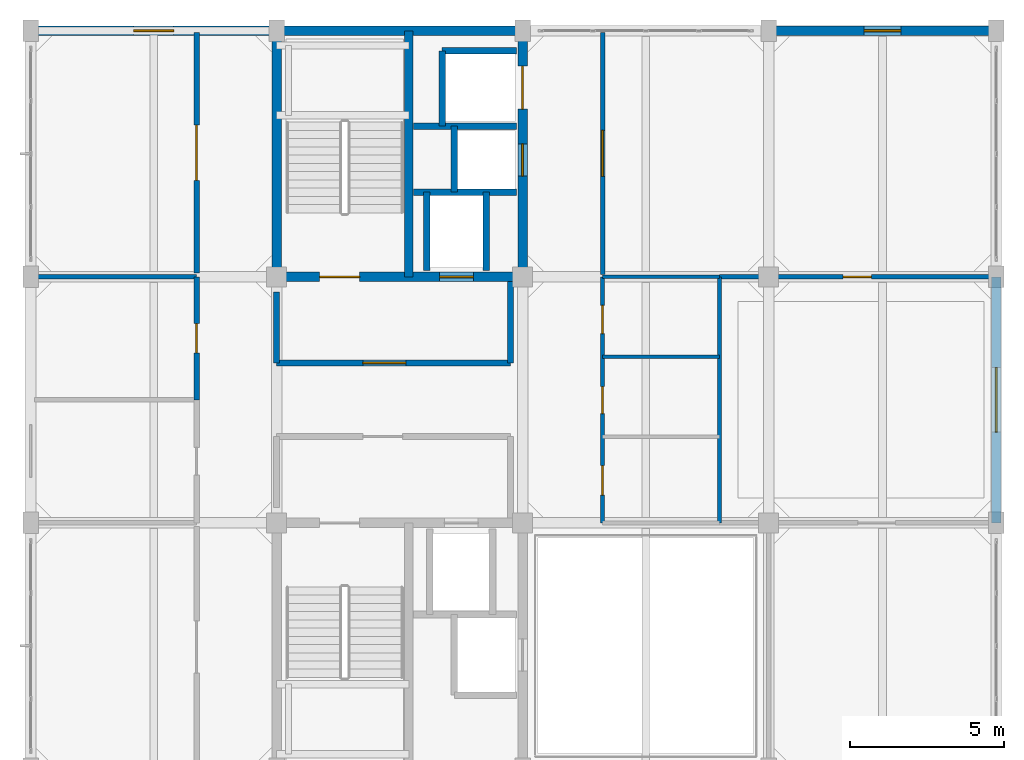
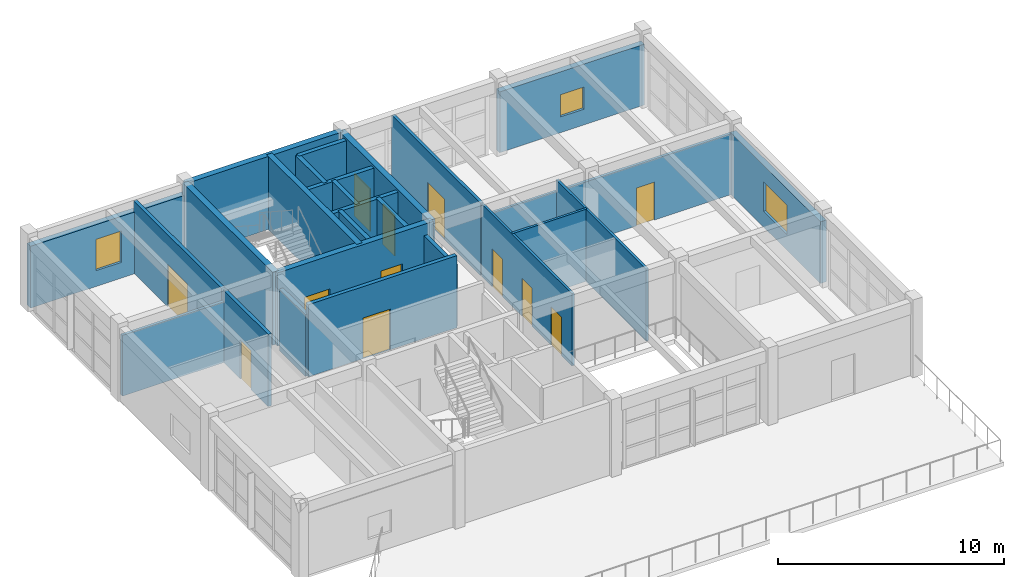
# One storey, part 17 of 20: 27 walls, 12 doors, 3 windows, 15 openings.
"""IFC4 building model written with IfcOpenShell, lengths in metres."""

from ifc_helpers import new_model, si_unit, direction, frame, frame_2d, origin, place, context, subcontext, project, spatial, rectangle, extrude, material, layer, layer_set, type_object, element, fill, save


model = new_model("IFC4")

# Units and contexts
model_context = context("Model", 3, precision=1e-05, world=origin(), true_north=direction((0.0, 1.0)))
body_context = subcontext(model_context, "Body", "Model", "MODEL_VIEW")
ifc_project = project(units=[si_unit("LENGTHUNIT", "METRE"), si_unit("AREAUNIT", "SQUARE_METRE"), si_unit("VOLUMEUNIT", "CUBIC_METRE"), si_unit("PLANEANGLEUNIT", "RADIAN"), si_unit("MASSUNIT", "GRAM", prefix="KILO")], contexts=[model_context])

# Site, building, storey
site_placement = place(None, origin())
site = spatial("IfcSite", under=ifc_project, at=site_placement, CompositionType="ELEMENT")
building_placement = place(site_placement, origin())
building = spatial("IfcBuilding", under=site, at=building_placement, Name="Canggui Botanical Conservatory", CompositionType="ELEMENT")
storey_placement = place(building_placement, frame((0.0, 0.0, 57.0)))
storey = spatial("IfcBuildingStorey", under=building, at=storey_placement, Name="L14", CompositionType="ELEMENT", Elevation=57.0)

# Wall, opening, window
ifc_material_1 = material(Name="Precast Concrete C40", Category="concrete")
ifc_layer_1 = layer(ifc_material_1, 0.300048828125, Name="Precast Concrete C40", Category="concrete")
ifc_layer_set_1 = layer_set([ifc_layer_1], Name="Precast Concrete C40")
wall_type_1 = type_object("IfcWallType", Name="EW-300", PredefinedType="STANDARD", material=ifc_layer_set_1)
wall_1_placement = place(storey_placement, frame((146.0, 66.0, 0.0), z_axis=(0.0, 0.0, 1.0), x_axis=(1.0, 0.0, 0.0)))
wall_1 = element("IfcWall", 1, at=wall_1_placement, inside=storey, type_object=wall_type_1, Name="Tower Insulated Exterior Wall L14-N7", PredefinedType="STANDARD", context=body_context, shape_type="SweptSolid", body=[
    extrude(rectangle(XDim=8.0, YDim=0.300048828125, at=frame_2d((4.0, 0.0))), origin(), (0.0, 0.0, 1.0), 3.340087890625),
])
opening_1_placement = place(wall_1_placement, frame((3.35009765625, 0.0, 0.85009765625)))
opening_1 = element("IfcOpeningElement", 2, at=opening_1_placement, cuts=wall_1, Name="Opening W-24", PredefinedType="OPENING", context=body_context, shape_type="SweptSolid", body=[
    extrude(rectangle(XDim=1.300048828125, YDim=1.699951171875, at=frame_2d((0.64990234375, 0.85009765625))), frame((0.0, 0.16015625, 0.0), z_axis=(0.0, -1.0, 0.0), x_axis=(1.0, 0.0, 0.0)), (0.0, 0.0, 1.0), 0.320068359375),
])
ifc_material_2 = material(Name="Low-E Insulated Glass", Category="glass")
window_type_1 = type_object("IfcWindowType", Name="WIN-24", PartitioningType="SINGLE_PANEL", PredefinedType="WINDOW", material=ifc_material_2)
window_1_placement = place(opening_1_placement, origin())
window_1 = element("IfcWindow", 3, at=window_1_placement, inside=storey, type_object=window_type_1, Name="Tower Window L14-7", OverallHeight=1.699951171875, OverallWidth=1.300048828125, PartitioningType="SINGLE_PANEL", PredefinedType="WINDOW", context=body_context, shape_type="SweptSolid", body=[
    extrude(rectangle(XDim=1.300048828125, YDim=1.699951171875, at=frame_2d((0.64990234375, 0.85009765625))), frame((0.0, 0.030029296875, 0.0), z_axis=(0.0, -1.0, 0.0), x_axis=(1.0, 0.0, 0.0)), (0.0, 0.0, 1.0), 0.06005859375),
])
fill(opening_1, window_1)

wall_2_placement = place(storey_placement, frame((170.0, 66.0, 0.0), z_axis=(0.0, 0.0, 1.0), x_axis=(1.0, 0.0, 0.0)))
wall_2 = element("IfcWall", 4, at=wall_2_placement, inside=storey, type_object=wall_type_1, Name="Tower Insulated Exterior Wall L14-N9", PredefinedType="STANDARD", context=body_context, shape_type="SweptSolid", body=[
    extrude(rectangle(XDim=7.39990234375, YDim=0.300048828125, at=frame_2d((3.699951171875, 0.0))), origin(), (0.0, 0.0, 1.0), 3.2900390625),
])
opening_2_placement = place(wall_2_placement, frame((3.10009765625, 0.0, 0.85009765625)))
opening_2 = element("IfcOpeningElement", 5, at=opening_2_placement, cuts=wall_2, Name="Opening W-06", PredefinedType="OPENING", context=body_context, shape_type="SweptSolid", body=[
    extrude(rectangle(XDim=1.199951171875, YDim=1.199951171875, at=frame_2d((0.60009765625, 0.60009765625))), frame((0.0, 0.16015625, 0.0), z_axis=(0.0, -1.0, 0.0), x_axis=(1.0, 0.0, 0.0)), (0.0, 0.0, 1.0), 0.320068359375),
])
window_type_2 = type_object("IfcWindowType", Name="WIN-06", PartitioningType="SINGLE_PANEL", PredefinedType="WINDOW", material=ifc_material_2)
window_2_placement = place(opening_2_placement, origin())
window_2 = element("IfcWindow", 6, at=window_2_placement, inside=storey, type_object=window_type_2, Name="Tower Firefighter Rescue Window L14-9", OverallHeight=1.199951171875, OverallWidth=1.199951171875, PartitioningType="SINGLE_PANEL", PredefinedType="WINDOW", context=body_context, shape_type="SweptSolid", body=[
    extrude(rectangle(XDim=1.199951171875, YDim=1.199951171875, at=frame_2d((0.60009765625, 0.60009765625))), frame((0.0, 0.030029296875, 0.0), z_axis=(0.0, -1.0, 0.0), x_axis=(1.0, 0.0, 0.0)), (0.0, 0.0, 1.0), 0.06005859375),
])
fill(opening_2, window_2)

wall_3_placement = place(storey_placement, frame((177.39990234375, 58.0, 0.0), z_axis=(0.0, 0.0, 1.0), x_axis=(0.0, -1.0, 0.0)))
wall_3 = element("IfcWall", 7, at=wall_3_placement, inside=storey, type_object=wall_type_1, Name="Tower Insulated Exterior Wall L14-E11", PredefinedType="STANDARD", context=body_context, shape_type="SweptSolid", body=[
    extrude(rectangle(XDim=8.0, YDim=0.300048828125, at=frame_2d((4.0, 0.0))), origin(), (0.0, 0.0, 1.0), 3.340087890625),
])
opening_3_placement = place(wall_3_placement, frame((2.949951171875, 0.0, 0.85009765625)))
opening_3 = element("IfcOpeningElement", 8, at=opening_3_placement, cuts=wall_3, Name="Opening W-02", PredefinedType="OPENING", context=body_context, shape_type="SweptSolid", body=[
    extrude(rectangle(XDim=2.10009765625, YDim=1.60009765625, at=frame_2d((1.050048828125, 0.800048828125))), frame((0.0, 0.16015625, 0.0), z_axis=(0.0, -1.0, 0.0), x_axis=(1.0, 0.0, 0.0)), (0.0, 0.0, 1.0), 0.320068359375),
])
window_type_3 = type_object("IfcWindowType", Name="WIN-02", PartitioningType="DOUBLE_PANEL_VERTICAL", PredefinedType="WINDOW", material=ifc_material_2)
window_3_placement = place(opening_3_placement, origin())
window_3 = element("IfcWindow", 9, at=window_3_placement, inside=storey, type_object=window_type_3, Name="Tower Window L14-11", OverallHeight=1.60009765625, OverallWidth=2.10009765625, PartitioningType="SINGLE_PANEL", PredefinedType="WINDOW", context=body_context, shape_type="SweptSolid", body=[
    extrude(rectangle(XDim=2.10009765625, YDim=1.60009765625, at=frame_2d((1.050048828125, 0.800048828125))), frame((0.0, 0.030029296875, 0.0), z_axis=(0.0, -1.0, 0.0), x_axis=(1.0, 0.0, 0.0)), (0.0, 0.0, 1.0), 0.06005859375),
])
fill(opening_3, window_3)

# Wall, opening, door
ifc_material_3 = material(Name="Gypsum Plasterboard Partition")
ifc_layer_2 = layer(ifc_material_3, 0.175048828125, Name="Gypsum Plasterboard Partition")
ifc_layer_set_2 = layer_set([ifc_layer_2], Name="Gypsum Plasterboard Partition")
wall_type_2 = type_object("IfcWallType", Name="IW-CORR-175", PredefinedType="STANDARD", material=ifc_layer_set_2)
wall_4_placement = place(storey_placement, frame((151.39990234375, 58.1201171875, 0.0), z_axis=(0.0, 0.0, 1.0), x_axis=(0.0, 1.0, 0.0)))
wall_4 = element("IfcWall", 10, at=wall_4_placement, inside=storey, type_object=wall_type_2, Name="L14 Red-List Assessment Office Corridor Wall", PredefinedType="STANDARD", context=body_context, shape_type="SweptSolid", body=[
    extrude(rectangle(XDim=7.829833984375, YDim=0.175048828125, at=frame_2d((3.9150390625, 0.0))), origin(), (0.0, 0.0, 1.0), 3.89990234375),
])
opening_4_placement = place(wall_4_placement, frame((3.014892578125, 0.0, 0.0)))
opening_4 = element("IfcOpeningElement", 11, at=opening_4_placement, cuts=wall_4, Name="Opening FD-17", PredefinedType="OPENING", context=body_context, shape_type="SweptSolid", body=[
    extrude(rectangle(XDim=1.800048828125, YDim=2.300048828125, at=frame_2d((0.89990234375, 1.14990234375))), frame((0.0, 0.09765625, 0.0), z_axis=(0.0, -1.0, 0.0), x_axis=(1.0, 0.0, 0.0)), (0.0, 0.0, 1.0), 0.195068359375),
])
ifc_material_4 = material(Name="Powder-Coated Steel", Category="steel")
door_type_1 = type_object("IfcDoorType", Name="FD-17", OperationType="NOTDEFINED", PredefinedType="DOOR", material=ifc_material_4)
door_1_placement = place(opening_4_placement, origin())
door_1 = element("IfcDoor", 12, at=door_1_placement, inside=storey, type_object=door_type_1, Name="L14 Red-List Assessment Office Entrance Door", OperationType="DOUBLE_DOOR_SINGLE_SWING", OverallHeight=2.300048828125, OverallWidth=1.800048828125, PredefinedType="DOOR", context=body_context, shape_type="SweptSolid", body=[
    extrude(rectangle(XDim=1.800048828125, YDim=2.300048828125, at=frame_2d((0.89990234375, 1.14990234375))), frame((0.0, 0.02490234375, 0.0), z_axis=(0.0, -1.0, 0.0), x_axis=(1.0, 0.0, 0.0)), (0.0, 0.0, 1.0), 0.050048828125),
])
fill(opening_4, door_1)

wall_5_placement = place(storey_placement, frame((151.39990234375, 54.0, 0.0), z_axis=(0.0, 0.0, 1.0), x_axis=(0.0, 1.0, 0.0)))
wall_5 = element("IfcWall", 13, at=wall_5_placement, inside=storey, type_object=wall_type_2, Name="L14 Consumables Store Wall", PredefinedType="STANDARD", context=body_context, shape_type="SweptSolid", body=[
    extrude(rectangle(XDim=4.0, YDim=0.175048828125, at=frame_2d((2.0, 0.0))), origin(), (0.0, 0.0, 1.0), 3.89990234375),
])
opening_5_placement = place(wall_5_placement, frame((1.52490234375, 0.0, 0.0)))
opening_5 = element("IfcOpeningElement", 14, at=opening_5_placement, cuts=wall_5, Name="Opening FD-02", PredefinedType="OPENING", context=body_context, shape_type="SweptSolid", body=[
    extrude(rectangle(XDim=0.949951171875, YDim=2.10009765625, at=frame_2d((0.47509765625, 1.050048828125))), frame((0.0, 0.09765625, 0.0), z_axis=(0.0, -1.0, 0.0), x_axis=(1.0, 0.0, 0.0)), (0.0, 0.0, 1.0), 0.195068359375),
])
door_type_2 = type_object("IfcDoorType", Name="FD-02", OperationType="NOTDEFINED", PredefinedType="DOOR", material=ifc_material_4)
door_2_placement = place(opening_5_placement, origin())
door_2 = element("IfcDoor", 15, at=door_2_placement, inside=storey, type_object=door_type_2, Name="Interior Door IW-L14-STRW2", OperationType="SINGLE_SWING_RIGHT", OverallHeight=2.10009765625, OverallWidth=0.949951171875, PredefinedType="DOOR", context=body_context, shape_type="SweptSolid", body=[
    extrude(rectangle(XDim=0.949951171875, YDim=2.10009765625, at=frame_2d((0.47509765625, 1.050048828125))), frame((0.0, 0.02490234375, 0.0), z_axis=(0.0, -1.0, 0.0), x_axis=(1.0, 0.0, 0.0)), (0.0, 0.0, 1.0), 0.050048828125),
])
fill(opening_5, door_2)

ifc_layer_3 = layer(ifc_material_3, 0.155029296875, Name="Gypsum Plasterboard Partition")
ifc_layer_set_3 = layer_set([ifc_layer_3], Name="Gypsum Plasterboard Partition")
wall_type_3 = type_object("IfcWallType", Name="IW-LAB-155", PredefinedType="STANDARD", material=ifc_layer_set_3)
wall_6_placement = place(storey_placement, frame((164.60009765625, 58.080078125, 0.0), z_axis=(0.0, 0.0, 1.0), x_axis=(0.0, 1.0, 0.0)))
wall_6 = element("IfcWall", 16, at=wall_6_placement, inside=storey, type_object=wall_type_3, Name="L14 Endangered Flora DNA Bank Lab Wall", PredefinedType="STANDARD", context=body_context, shape_type="SweptSolid", body=[
    extrude(rectangle(XDim=7.869873046875, YDim=0.155029296875, at=frame_2d((3.93505859375, 0.0))), origin(), (0.0, 0.0, 1.0), 3.89990234375),
])
opening_6_placement = place(wall_6_placement, frame((3.18505859375, 0.0, 0.0)))
opening_6 = element("IfcOpeningElement", 17, at=opening_6_placement, cuts=wall_6, Name="Opening FD-13", PredefinedType="OPENING", context=body_context, shape_type="SweptSolid", body=[
    extrude(rectangle(XDim=1.5, YDim=2.199951171875, at=frame_2d((0.75, 1.10009765625))), frame((0.0, 0.08740234375, 0.0), z_axis=(0.0, -1.0, 0.0), x_axis=(1.0, 0.0, 0.0)), (0.0, 0.0, 1.0), 0.175048828125),
])
door_type_3 = type_object("IfcDoorType", Name="FD-13", OperationType="NOTDEFINED", PredefinedType="DOOR", material=ifc_material_4)
door_3_placement = place(opening_6_placement, origin())
door_3 = element("IfcDoor", 18, at=door_3_placement, inside=storey, type_object=door_type_3, Name="Interior Door IW-L14-ECOR-2-1", OperationType="SINGLE_SWING_RIGHT", OverallHeight=2.199951171875, OverallWidth=1.5, PredefinedType="DOOR", context=body_context, shape_type="SweptSolid", body=[
    extrude(rectangle(XDim=1.5, YDim=2.199951171875, at=frame_2d((0.75, 1.10009765625))), frame((0.0, 0.02490234375, 0.0), z_axis=(0.0, -1.0, 0.0), x_axis=(1.0, 0.0, 0.0)), (0.0, 0.0, 1.0), 0.050048828125),
])
fill(opening_6, door_3)

ifc_material_5 = material(Name="Concrete C35", Category="concrete")
ifc_layer_4 = layer(ifc_material_5, 0.195068359375, Name="Concrete C35", Category="concrete")
ifc_layer_set_4 = layer_set([ifc_layer_4], Name="Concrete C35")
wall_type_4 = type_object("IfcWallType", Name="IW-LOBBY-195", PredefinedType="STANDARD", material=ifc_layer_set_4)
wall_7_placement = place(storey_placement, frame((154.0, 55.199951171875, 0.0), z_axis=(0.0, 0.0, 1.0), x_axis=(1.0, 0.0, 0.0)))
wall_7 = element("IfcWall", 19, at=wall_7_placement, inside=storey, type_object=wall_type_4, Name="L14 North Firefighting Lift Lobby South Wall", PredefinedType="STANDARD", context=body_context, shape_type="SweptSolid", body=[
    extrude(rectangle(XDim=7.60009765625, YDim=0.195068359375, at=frame_2d((3.800048828125, 0.0))), origin(), (0.0, 0.0, 1.0), 3.89990234375),
])
opening_7_placement = place(wall_7_placement, frame((2.800048828125, 0.0, 0.0)))
opening_7 = element("IfcOpeningElement", 20, at=opening_7_placement, cuts=wall_7, Name="Opening FD-11", PredefinedType="OPENING", context=body_context, shape_type="SweptSolid", body=[
    extrude(rectangle(XDim=1.39990234375, YDim=2.199951171875, at=frame_2d((0.699951171875, 1.10009765625))), frame((0.0, 0.107421875, 0.0), z_axis=(0.0, -1.0, 0.0), x_axis=(1.0, 0.0, 0.0)), (0.0, 0.0, 1.0), 0.215087890625),
])
door_type_4 = type_object("IfcDoorType", Name="FD-11", OperationType="NOTDEFINED", PredefinedType="DOOR", material=ifc_material_4)
door_4_placement = place(opening_7_placement, origin())
door_4 = element("IfcDoor", 21, at=door_4_placement, inside=storey, type_object=door_type_4, Name="L14 North Firefighting Lobby Fire Door", OperationType="SINGLE_SWING_LEFT", OverallHeight=2.199951171875, OverallWidth=1.39990234375, PredefinedType="DOOR", context=body_context, shape_type="SweptSolid", body=[
    extrude(rectangle(XDim=1.39990234375, YDim=2.199951171875, at=frame_2d((0.699951171875, 1.10009765625))), frame((0.0, 0.02490234375, 0.0), z_axis=(0.0, -1.0, 0.0), x_axis=(1.0, 0.0, 0.0)), (0.0, 0.0, 1.0), 0.050048828125),
])
fill(opening_7, door_4)

# Walls
wall_8_placement = place(storey_placement, frame((161.60009765625, 55.199951171875, 0.0), z_axis=(0.0, 0.0, 1.0), x_axis=(0.0, 1.0, 0.0)))
element("IfcWall", 22, at=wall_8_placement, inside=storey, type_object=wall_type_4, Name="L14 North Firefighting Lift Lobby East Wall", PredefinedType="STANDARD", context=body_context, shape_type="SweptSolid", body=[
    extrude(rectangle(XDim=2.650146484375, YDim=0.195068359375, at=frame_2d((1.3251953125, 0.0))), origin(), (0.0, 0.0, 1.0), 3.340087890625),
])
wall_9_placement = place(storey_placement, frame((154.0, 55.199951171875, 0.0), z_axis=(0.0, 0.0, 1.0), x_axis=(0.0, 1.0, 0.0)))
element("IfcWall", 23, at=wall_9_placement, inside=storey, type_object=wall_type_4, Name="L14 North Firefighting Lift Lobby West Wall", PredefinedType="STANDARD", context=body_context, shape_type="SweptSolid", body=[
    extrude(rectangle(XDim=2.300048828125, YDim=0.195068359375, at=frame_2d((1.14990234375, 0.0))), origin(), (0.0, 0.0, 1.0), 3.340087890625),
])
ifc_layer_5 = layer(ifc_material_3, 0.139892578125, Name="Gypsum Plasterboard Partition")
ifc_layer_set_5 = layer_set([ifc_layer_5], Name="Gypsum Plasterboard Partition")
wall_type_5 = type_object("IfcWallType", Name="IW-PART-140", PredefinedType="STANDARD", material=ifc_layer_set_5)
wall_10_placement = place(storey_placement, frame((146.1201171875, 58.0, 0.0), z_axis=(0.0, 0.0, 1.0), x_axis=(1.0, 0.0, 0.0)))
element("IfcWall", 24, at=wall_10_placement, inside=storey, type_object=wall_type_5, Name="L14 Store North Cross Wall", PredefinedType="STANDARD", context=body_context, shape_type="SweptSolid", body=[
    extrude(rectangle(XDim=5.27978515625, YDim=0.139892578125, at=frame_2d((2.639892578125, 0.0))), origin(), (0.0, 0.0, 1.0), 3.2900390625),
])

# Wall, opening, door
wall_11_placement = place(storey_placement, frame((168.39990234375, 58.0, 0.0), z_axis=(0.0, 0.0, 1.0), x_axis=(1.0, 0.0, 0.0)))
wall_11 = element("IfcWall", 25, at=wall_11_placement, inside=storey, type_object=wall_type_5, Name="L14 Conservation Genetics Research Laboratory Subdivision Wall", PredefinedType="STANDARD", context=body_context, shape_type="SweptSolid", body=[
    extrude(rectangle(XDim=8.960205078125, YDim=0.139892578125, at=frame_2d((4.47998046875, 0.0))), origin(), (0.0, 0.0, 1.0), 3.2900390625),
])
opening_8_placement = place(wall_11_placement, frame((4.02001953125, 0.0, 0.0)))
opening_8 = element("IfcOpeningElement", 26, at=opening_8_placement, cuts=wall_11, Name="Opening ID-02", PredefinedType="OPENING", context=body_context, shape_type="SweptSolid", body=[
    extrude(rectangle(XDim=0.919921875, YDim=2.050048828125, at=frame_2d((0.4599609375, 1.02490234375))), frame((0.0, 0.080078125, 0.0), z_axis=(0.0, -1.0, 0.0), x_axis=(1.0, 0.0, 0.0)), (0.0, 0.0, 1.0), 0.159912109375),
])
ifc_material_6 = material(Name="Engineered Timber Veneer", Category="wood")
door_type_5 = type_object("IfcDoorType", Name="ID-02", OperationType="NOTDEFINED", PredefinedType="DOOR", material=ifc_material_6)
door_5_placement = place(opening_8_placement, origin())
door_5 = element("IfcDoor", 27, at=door_5_placement, inside=storey, type_object=door_type_5, Name="Interior Door IW-L14-EDIV-1", OperationType="SINGLE_SWING_LEFT", OverallHeight=2.050048828125, OverallWidth=0.919921875, PredefinedType="DOOR", context=body_context, shape_type="SweptSolid", body=[
    extrude(rectangle(XDim=0.919921875, YDim=2.050048828125, at=frame_2d((0.4599609375, 1.02490234375))), frame((0.0, 0.02490234375, 0.0), z_axis=(0.0, -1.0, 0.0), x_axis=(1.0, 0.0, 0.0)), (0.0, 0.0, 1.0), 0.050048828125),
])
fill(opening_8, door_5)

# Walls
ifc_layer_6 = layer(ifc_material_5, 0.215087890625, Name="Concrete C35", Category="concrete")
ifc_layer_set_6 = layer_set([ifc_layer_6], Name="Concrete C35")
wall_type_6 = type_object("IfcWallType", Name="IW-SHAFT-215", PredefinedType="STANDARD", material=ifc_layer_set_6)
wall_12_placement = place(storey_placement, frame((158.449951171875, 62.89990234375, 0.0), z_axis=(0.0, 0.0, 1.0), x_axis=(1.0, 0.0, 0.0)))
element("IfcWall", 28, at=wall_12_placement, inside=storey, type_object=wall_type_6, Name="Core T2 Goods Lift Shaft Divider L14", PredefinedType="STANDARD", context=body_context, shape_type="SweptSolid", body=[
    extrude(rectangle(XDim=3.35009765625, YDim=0.215087890625, at=frame_2d((1.675048828125, 0.0))), origin(), (0.0, 0.0, 1.0), 3.89990234375),
])
wall_13_placement = place(storey_placement, frame((160.820068359375, 58.199951171875, 0.0), z_axis=(0.0, 0.0, 1.0), x_axis=(0.0, 1.0, 0.0)))
element("IfcWall", 29, at=wall_13_placement, inside=storey, type_object=wall_type_6, Name="Core T2 Lift Bank Web L14", PredefinedType="STANDARD", context=body_context, shape_type="SweptSolid", body=[
    extrude(rectangle(XDim=2.550048828125, YDim=0.215087890625, at=frame_2d((1.27490234375, 0.0))), origin(), (0.0, 0.0, 1.0), 3.89990234375),
])
wall_14_placement = place(storey_placement, frame((159.3798828125, 62.89990234375, 0.0), z_axis=(0.0, 0.0, 1.0), x_axis=(0.0, 1.0, 0.0)))
element("IfcWall", 30, at=wall_14_placement, inside=storey, type_object=wall_type_6, Name="Core T2 GL-01 West Shaft Wall L14", PredefinedType="STANDARD", context=body_context, shape_type="SweptSolid", body=[
    extrude(rectangle(XDim=2.4501953125, YDim=0.215087890625, at=frame_2d((1.22509765625, 0.0))), origin(), (0.0, 0.0, 1.0), 3.89990234375),
])
wall_15_placement = place(storey_placement, frame((159.3798828125, 65.35009765625, 0.0), z_axis=(0.0, 0.0, 1.0), x_axis=(1.0, 0.0, 0.0)))
element("IfcWall", 31, at=wall_15_placement, inside=storey, type_object=wall_type_6, Name="Core T2 GL-01 North Shaft Wall L14", PredefinedType="STANDARD", context=body_context, shape_type="SweptSolid", body=[
    extrude(rectangle(XDim=2.420166015625, YDim=0.215087890625, at=frame_2d((1.2099609375, 0.0))), origin(), (0.0, 0.0, 1.0), 3.89990234375),
])
wall_16_placement = place(storey_placement, frame((158.449951171875, 60.75, 0.0), z_axis=(0.0, 0.0, 1.0), x_axis=(1.0, 0.0, 0.0)))
element("IfcWall", 32, at=wall_16_placement, inside=storey, type_object=wall_type_6, Name="Core T2 PL-02 South Shaft Wall L14", PredefinedType="STANDARD", context=body_context, shape_type="SweptSolid", body=[
    extrude(rectangle(XDim=3.35009765625, YDim=0.215087890625, at=frame_2d((1.675048828125, 0.0))), origin(), (0.0, 0.0, 1.0), 3.89990234375),
])
wall_17_placement = place(storey_placement, frame((159.780029296875, 60.75, 0.0), z_axis=(0.0, 0.0, 1.0), x_axis=(0.0, 1.0, 0.0)))
element("IfcWall", 33, at=wall_17_placement, inside=storey, type_object=wall_type_6, Name="Core T2 PL-02 West Shaft Wall L14", PredefinedType="STANDARD", context=body_context, shape_type="SweptSolid", body=[
    extrude(rectangle(XDim=2.14990234375, YDim=0.215087890625, at=frame_2d((1.074951171875, 0.0))), origin(), (0.0, 0.0, 1.0), 3.89990234375),
])
wall_18_placement = place(storey_placement, frame((158.8798828125, 58.199951171875, 0.0), z_axis=(0.0, 0.0, 1.0), x_axis=(0.0, 1.0, 0.0)))
element("IfcWall", 34, at=wall_18_placement, inside=storey, type_object=wall_type_6, Name="Core T2 FL-02 West Shaft Wall L14", PredefinedType="STANDARD", context=body_context, shape_type="SweptSolid", body=[
    extrude(rectangle(XDim=2.550048828125, YDim=0.215087890625, at=frame_2d((1.27490234375, 0.0))), origin(), (0.0, 0.0, 1.0), 3.89990234375),
])

# Wall, openings, doors
ifc_layer_7 = layer(ifc_material_3, 0.125, Name="Gypsum Plasterboard Partition")
ifc_layer_set_7 = layer_set([ifc_layer_7], Name="Gypsum Plasterboard Partition")
wall_type_7 = type_object("IfcWallType", Name="IW-WC-125", PredefinedType="STANDARD", material=ifc_layer_set_7)
wall_19_placement = place(storey_placement, frame((164.60009765625, 50.0, 0.0), z_axis=(0.0, 0.0, 1.0), x_axis=(0.0, 1.0, 0.0)))
wall_19 = element("IfcWall", 35, at=wall_19_placement, inside=storey, type_object=wall_type_7, Name="L14 Restroom Block Corridor Wall", PredefinedType="STANDARD", context=body_context, shape_type="SweptSolid", body=[
    extrude(rectangle(XDim=8.0, YDim=0.125, at=frame_2d((4.0, 0.0))), origin(), (0.0, 0.0, 1.0), 3.89990234375),
])
opening_9_placement = place(wall_19_placement, frame((0.89990234375, 0.0, 0.0)))
opening_9 = element("IfcOpeningElement", 36, at=opening_9_placement, cuts=wall_19, Name="Opening ID-03", PredefinedType="OPENING", context=body_context, shape_type="SweptSolid", body=[
    extrude(rectangle(XDim=0.9599609375, YDim=2.080078125, at=frame_2d((0.47998046875, 1.0400390625))), frame((0.0, 0.072509765625, 0.0), z_axis=(0.0, -1.0, 0.0), x_axis=(1.0, 0.0, 0.0)), (0.0, 0.0, 1.0), 0.14501953125),
])
opening_10_placement = place(wall_19_placement, frame((3.550048828125, 0.0, 0.0)))
opening_10 = element("IfcOpeningElement", 37, at=opening_10_placement, cuts=wall_19, Name="Opening ID-01", PredefinedType="OPENING", context=body_context, shape_type="SweptSolid", body=[
    extrude(rectangle(XDim=0.8798828125, YDim=2.050048828125, at=frame_2d((0.43994140625, 1.02490234375))), frame((0.0, 0.072509765625, 0.0), z_axis=(0.0, -1.0, 0.0), x_axis=(1.0, 0.0, 0.0)), (0.0, 0.0, 1.0), 0.14501953125),
])
opening_11_placement = place(wall_19_placement, frame((6.14990234375, 0.0, 0.0)))
opening_11 = element("IfcOpeningElement", 38, at=opening_11_placement, cuts=wall_19, Name="Opening ID-02", PredefinedType="OPENING", context=body_context, shape_type="SweptSolid", body=[
    extrude(rectangle(XDim=0.919921875, YDim=2.050048828125, at=frame_2d((0.4599609375, 1.02490234375))), frame((0.0, 0.072509765625, 0.0), z_axis=(0.0, -1.0, 0.0), x_axis=(1.0, 0.0, 0.0)), (0.0, 0.0, 1.0), 0.14501953125),
])
door_type_6 = type_object("IfcDoorType", Name="ID-01", OperationType="NOTDEFINED", PredefinedType="DOOR", material=ifc_material_6)
door_6_placement = place(opening_10_placement, origin())
door_6 = element("IfcDoor", 39, at=door_6_placement, inside=storey, type_object=door_type_6, Name="L14 Male WC Door", OperationType="SINGLE_SWING_LEFT", OverallHeight=2.050048828125, OverallWidth=0.8798828125, PredefinedType="DOOR", context=body_context, shape_type="SweptSolid", body=[
    extrude(rectangle(XDim=0.8798828125, YDim=2.050048828125, at=frame_2d((0.43994140625, 1.02490234375))), frame((0.0, 0.02490234375, 0.0), z_axis=(0.0, -1.0, 0.0), x_axis=(1.0, 0.0, 0.0)), (0.0, 0.0, 1.0), 0.050048828125),
])
fill(opening_10, door_6)
door_7_placement = place(opening_11_placement, origin())
door_7 = element("IfcDoor", 40, at=door_7_placement, inside=storey, type_object=door_type_5, Name="L14 Female WC Door", OperationType="SINGLE_SWING_RIGHT", OverallHeight=2.050048828125, OverallWidth=0.919921875, PredefinedType="DOOR", context=body_context, shape_type="SweptSolid", body=[
    extrude(rectangle(XDim=0.919921875, YDim=2.050048828125, at=frame_2d((0.4599609375, 1.02490234375))), frame((0.0, 0.02490234375, 0.0), z_axis=(0.0, -1.0, 0.0), x_axis=(1.0, 0.0, 0.0)), (0.0, 0.0, 1.0), 0.050048828125),
])
fill(opening_11, door_7)
door_type_7 = type_object("IfcDoorType", Name="ID-03", OperationType="NOTDEFINED", PredefinedType="DOOR", material=ifc_material_6)
door_8_placement = place(opening_9_placement, origin())
door_8 = element("IfcDoor", 41, at=door_8_placement, inside=storey, type_object=door_type_7, Name="L14 Accessible WC Door", OperationType="SINGLE_SWING_RIGHT", OverallHeight=2.080078125, OverallWidth=0.9599609375, PredefinedType="DOOR", context=body_context, shape_type="SweptSolid", body=[
    extrude(rectangle(XDim=0.9599609375, YDim=2.080078125, at=frame_2d((0.47998046875, 1.0400390625))), frame((0.0, 0.02490234375, 0.0), z_axis=(0.0, -1.0, 0.0), x_axis=(1.0, 0.0, 0.0)), (0.0, 0.0, 1.0), 0.050048828125),
])
fill(opening_9, door_8)

# Walls
wall_20_placement = place(storey_placement, frame((168.39990234375, 50.0, 0.0), z_axis=(0.0, 0.0, 1.0), x_axis=(0.0, 1.0, 0.0)))
element("IfcWall", 42, at=wall_20_placement, inside=storey, type_object=wall_type_7, Name="L14 Restroom Block Back Wall", PredefinedType="STANDARD", context=body_context, shape_type="SweptSolid", body=[
    extrude(rectangle(XDim=8.0, YDim=0.125, at=frame_2d((4.0, 0.0))), origin(), (0.0, 0.0, 1.0), 3.89990234375),
])
wall_21_placement = place(storey_placement, frame((164.60009765625, 55.39990234375, 0.0), z_axis=(0.0, 0.0, 1.0), x_axis=(1.0, 0.0, 0.0)))
element("IfcWall", 43, at=wall_21_placement, inside=storey, type_object=wall_type_7, Name="L14 Restroom Divider Y55.4", PredefinedType="STANDARD", context=body_context, shape_type="SweptSolid", body=[
    extrude(rectangle(XDim=3.7998046875, YDim=0.125, at=frame_2d((1.89990234375, 0.0))), origin(), (0.0, 0.0, 1.0), 3.89990234375),
])
wall_22_placement = place(storey_placement, frame((164.60009765625, 58.0, 0.0), z_axis=(0.0, 0.0, 1.0), x_axis=(1.0, 0.0, 0.0)))
element("IfcWall", 44, at=wall_22_placement, inside=storey, type_object=wall_type_7, Name="L14 Restroom Divider Y58.0", PredefinedType="STANDARD", context=body_context, shape_type="SweptSolid", body=[
    extrude(rectangle(XDim=3.7998046875, YDim=0.125, at=frame_2d((1.89990234375, 0.0))), origin(), (0.0, 0.0, 1.0), 3.2900390625),
])
ifc_layer_8 = layer(ifc_material_5, 0.280029296875, Name="Concrete C35", Category="concrete")
ifc_layer_set_8 = layer_set([ifc_layer_8], Name="Concrete C35")
wall_type_8 = type_object("IfcWallType", Name="WALL-SH-280-C35", PredefinedType="SHEAR", material=ifc_layer_set_8)
wall_23_placement = place(storey_placement, frame((158.300048828125, 58.0, 0.0), z_axis=(0.0, 0.0, 1.0), x_axis=(0.0, 1.0, 0.0)))
element("IfcWall", 45, at=wall_23_placement, inside=storey, type_object=wall_type_8, Name="Core T2 Internal Shear Web L14", PredefinedType="SHEAR", context=body_context, shape_type="SweptSolid", body=[
    extrude(rectangle(XDim=8.0, YDim=0.280029296875, at=frame_2d((4.0, 0.0))), origin(), (0.0, 0.0, 1.0), 3.949951171875),
])

# Wall, openings, doors
ifc_layer_9 = layer(ifc_material_5, 0.300048828125, Name="Concrete C35", Category="concrete")
ifc_layer_set_9 = layer_set([ifc_layer_9], Name="Concrete C35")
wall_type_9 = type_object("IfcWallType", Name="WALL-SH-300-C35", PredefinedType="SHEAR", material=ifc_layer_set_9)
wall_24_placement = place(storey_placement, frame((154.0, 58.0, 0.0), z_axis=(0.0, 0.0, 1.0), x_axis=(1.0, 0.0, 0.0)))
wall_24 = element("IfcWall", 46, at=wall_24_placement, inside=storey, type_object=wall_type_9, Name="Core T2 Shear Wall L14-S", PredefinedType="SHEAR", context=body_context, shape_type="SweptSolid", body=[
    extrude(rectangle(XDim=8.0, YDim=0.300048828125, at=frame_2d((4.0, 0.0))), origin(), (0.0, 0.0, 1.0), 3.949951171875),
])
opening_12_placement = place(wall_24_placement, frame((1.39990234375, 0.0, 0.0)))
opening_12 = element("IfcOpeningElement", 47, at=opening_12_placement, cuts=wall_24, Name="Opening FD-09", PredefinedType="OPENING", context=body_context, shape_type="SweptSolid", body=[
    extrude(rectangle(XDim=1.300048828125, YDim=2.14990234375, at=frame_2d((0.64990234375, 1.074951171875))), frame((0.0, 0.16015625, 0.0), z_axis=(0.0, -1.0, 0.0), x_axis=(1.0, 0.0, 0.0)), (0.0, 0.0, 1.0), 0.320068359375),
])
opening_13_placement = place(wall_24_placement, frame((5.300048828125, 0.0, 0.0)))
opening_13 = element("IfcOpeningElement", 48, at=opening_13_placement, cuts=wall_24, Name="Opening LD-01", PredefinedType="OPENING", context=body_context, shape_type="SweptSolid", body=[
    extrude(rectangle(XDim=1.10009765625, YDim=2.199951171875, at=frame_2d((0.550048828125, 1.10009765625))), frame((0.0, 0.16015625, 0.0), z_axis=(0.0, -1.0, 0.0), x_axis=(1.0, 0.0, 0.0)), (0.0, 0.0, 1.0), 0.320068359375),
])
door_type_8 = type_object("IfcDoorType", Name="FD-09", OperationType="NOTDEFINED", PredefinedType="DOOR", material=ifc_material_4)
door_9_placement = place(opening_12_placement, origin())
door_9 = element("IfcDoor", 49, at=door_9_placement, inside=storey, type_object=door_type_8, Name="Tower North Smoke-Proof Stair Door L14", OperationType="SINGLE_SWING_RIGHT", OverallHeight=2.14990234375, OverallWidth=1.300048828125, PredefinedType="DOOR", context=body_context, shape_type="SweptSolid", body=[
    extrude(rectangle(XDim=1.300048828125, YDim=2.14990234375, at=frame_2d((0.64990234375, 1.074951171875))), frame((0.0, 0.02490234375, 0.0), z_axis=(0.0, -1.0, 0.0), x_axis=(1.0, 0.0, 0.0)), (0.0, 0.0, 1.0), 0.050048828125),
])
fill(opening_12, door_9)
ifc_material_7 = material(Name="Stainless Steel 304", Category="steel")
door_type_9 = type_object("IfcDoorType", Name="LDR-01", OperationType="NOTDEFINED", PredefinedType="DOOR", material=ifc_material_7)
door_10_placement = place(opening_13_placement, origin())
door_10 = element("IfcDoor", 50, at=door_10_placement, inside=storey, type_object=door_type_9, Name="Firefighting Lift FL-02 Landing Door L14", OperationType="SLIDING_TO_RIGHT", OverallHeight=2.199951171875, OverallWidth=1.10009765625, PredefinedType="DOOR", context=body_context, shape_type="SweptSolid", body=[
    extrude(rectangle(XDim=1.10009765625, YDim=2.199951171875, at=frame_2d((0.550048828125, 1.10009765625))), frame((0.0, 0.02490234375, 0.0), z_axis=(0.0, -1.0, 0.0), x_axis=(1.0, 0.0, 0.0)), (0.0, 0.0, 1.0), 0.050048828125),
])
fill(opening_13, door_10)

wall_25_placement = place(storey_placement, frame((162.0, 58.0, 0.0), z_axis=(0.0, 0.0, 1.0), x_axis=(0.0, 1.0, 0.0)))
wall_25 = element("IfcWall", 51, at=wall_25_placement, inside=storey, type_object=wall_type_9, Name="Core T2 Shear Wall L14-E", PredefinedType="SHEAR", context=body_context, shape_type="SweptSolid", body=[
    extrude(rectangle(XDim=8.0, YDim=0.300048828125, at=frame_2d((4.0, 0.0))), origin(), (0.0, 0.0, 1.0), 3.949951171875),
])
opening_14_placement = place(wall_25_placement, frame((3.27490234375, 0.0, 0.0)))
opening_14 = element("IfcOpeningElement", 52, at=opening_14_placement, cuts=wall_25, Name="Opening LD-02", PredefinedType="OPENING", context=body_context, shape_type="SweptSolid", body=[
    extrude(rectangle(XDim=1.050048828125, YDim=2.199951171875, at=frame_2d((0.52490234375, 1.10009765625))), frame((0.0, 0.16015625, 0.0), z_axis=(0.0, -1.0, 0.0), x_axis=(1.0, 0.0, 0.0)), (0.0, 0.0, 1.0), 0.320068359375),
])
opening_15_placement = place(wall_25_placement, frame((5.449951171875, 0.0, 0.0)))
opening_15 = element("IfcOpeningElement", 53, at=opening_15_placement, cuts=wall_25, Name="Opening LD-03", PredefinedType="OPENING", context=body_context, shape_type="SweptSolid", body=[
    extrude(rectangle(XDim=1.39990234375, YDim=2.300048828125, at=frame_2d((0.699951171875, 1.14990234375))), frame((0.0, 0.16015625, 0.0), z_axis=(0.0, -1.0, 0.0), x_axis=(1.0, 0.0, 0.0)), (0.0, 0.0, 1.0), 0.320068359375),
])
door_type_10 = type_object("IfcDoorType", Name="LDR-02", OperationType="NOTDEFINED", PredefinedType="DOOR", material=ifc_material_7)
door_11_placement = place(opening_14_placement, origin())
door_11 = element("IfcDoor", 54, at=door_11_placement, inside=storey, type_object=door_type_10, Name="Passenger Lift PL-02 Landing Door L14", OperationType="SLIDING_TO_RIGHT", OverallHeight=2.199951171875, OverallWidth=1.050048828125, PredefinedType="DOOR", context=body_context, shape_type="SweptSolid", body=[
    extrude(rectangle(XDim=1.050048828125, YDim=2.199951171875, at=frame_2d((0.52490234375, 1.10009765625))), frame((0.0, 0.02490234375, 0.0), z_axis=(0.0, -1.0, 0.0), x_axis=(1.0, 0.0, 0.0)), (0.0, 0.0, 1.0), 0.050048828125),
])
fill(opening_14, door_11)
door_type_11 = type_object("IfcDoorType", Name="LDR-03", OperationType="NOTDEFINED", PredefinedType="DOOR", material=ifc_material_7)
door_12_placement = place(opening_15_placement, origin())
door_12 = element("IfcDoor", 55, at=door_12_placement, inside=storey, type_object=door_type_11, Name="Herbarium Goods Lift GL-01 Landing Door L14", OperationType="DOUBLE_DOOR_SLIDING", OverallHeight=2.300048828125, OverallWidth=1.39990234375, PredefinedType="DOOR", context=body_context, shape_type="SweptSolid", body=[
    extrude(rectangle(XDim=1.39990234375, YDim=2.300048828125, at=frame_2d((0.699951171875, 1.14990234375))), frame((0.0, 0.02490234375, 0.0), z_axis=(0.0, -1.0, 0.0), x_axis=(1.0, 0.0, 0.0)), (0.0, 0.0, 1.0), 0.050048828125),
])
fill(opening_15, door_12)

# Walls
for number, where, z_axis, x_axis, name in (
    (56, (162.0, 66.0, 0.0), (0.0, 0.0, 1.0), (-1.0, 0.0, 0.0), "Core T2 Shear Wall L14-N"),
    (57, (154.0, 66.0, 0.0), (0.0, 0.0, 1.0), (0.0, -1.0, 0.0), "Core T2 Shear Wall L14-W"),
):
    element("IfcWall", number, at=place(storey_placement, frame(where, z_axis=z_axis, x_axis=x_axis)), inside=storey, type_object=wall_type_9, Name=name, PredefinedType="SHEAR", context=body_context, shape_type="SweptSolid", body=[
        extrude(rectangle(XDim=8.0, YDim=0.300048828125, at=frame_2d((4.0, 0.0))), origin(), (0.0, 0.0, 1.0), 3.949951171875),
    ])

save(model, "model.ifc")
